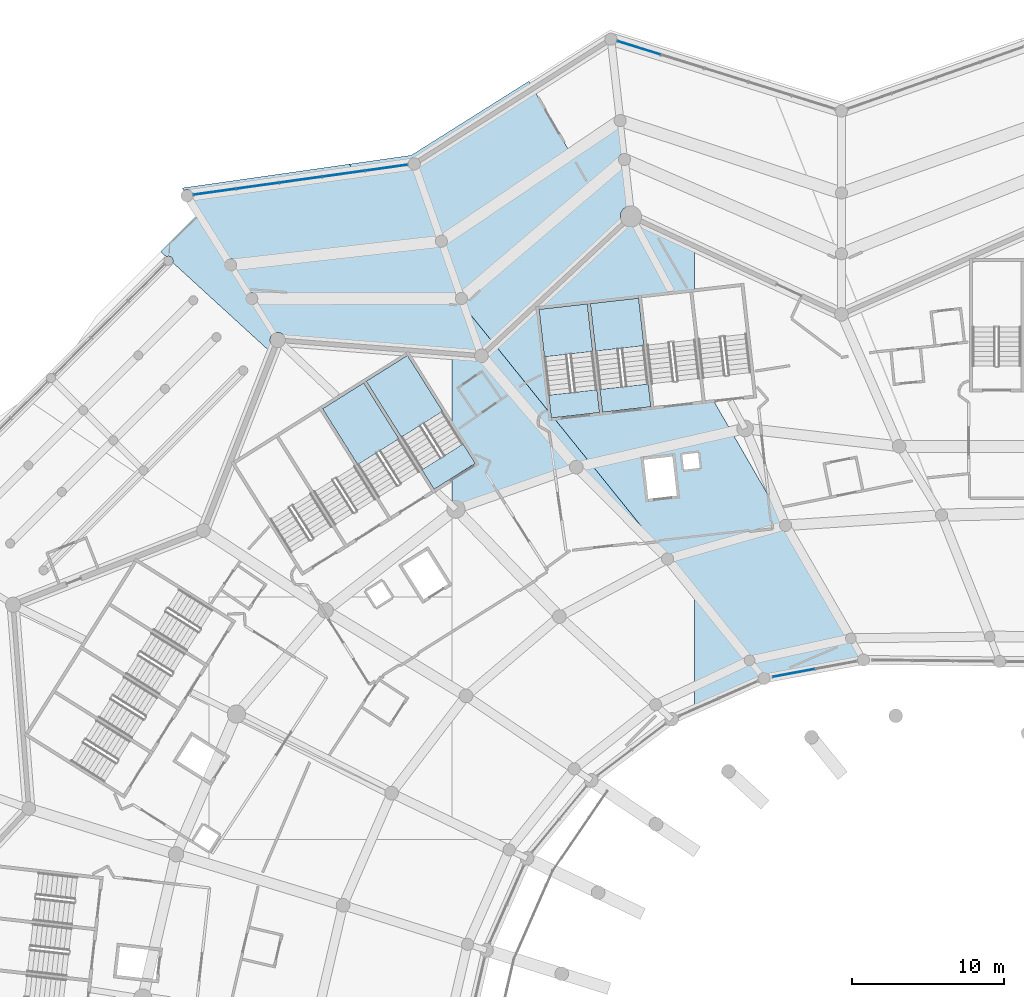
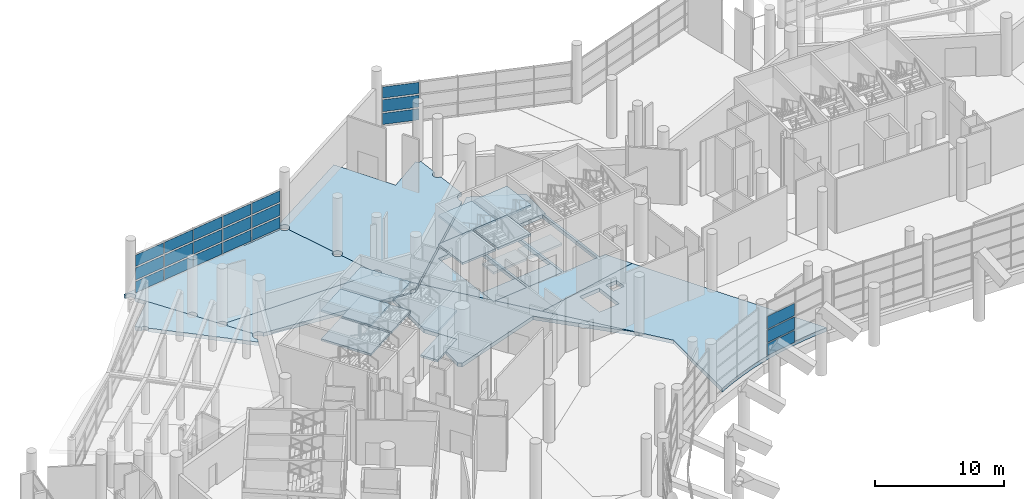
# One storey, part 143 of 271: 21 plates, 21 slabs, 7 elements without a shape of their own.
"""IFC4 building model written with IfcOpenShell, lengths in metres."""

from ifc_helpers import new_model, si_unit, direction, frame, origin, origin_2d, place, context, subcontext, project, spatial, polyline, rectangle, outline, extrude, material, layer, layer_set, type_object, element, aggregate, save


model = new_model("IFC4")

# Units and contexts
model_context = context("Model", 3, precision=1e-05, world=origin(), true_north=direction((0.0, 1.0)))
body_context = subcontext(model_context, "Body", "Model", "MODEL_VIEW")
ifc_project = project(units=[si_unit("LENGTHUNIT", "METRE"), si_unit("AREAUNIT", "SQUARE_METRE"), si_unit("VOLUMEUNIT", "CUBIC_METRE"), si_unit("PLANEANGLEUNIT", "RADIAN"), si_unit("MASSUNIT", "GRAM", prefix="KILO")], contexts=[model_context])

# Site, building, storey
site_placement = place(None, origin())
site = spatial("IfcSite", under=ifc_project, at=site_placement, CompositionType="ELEMENT")
building_placement = place(site_placement, origin())
building = spatial("IfcBuilding", under=site, at=building_placement, Name="Meseta Stadium", CompositionType="ELEMENT")
storey_placement = place(building_placement, frame((0.0, 0.0, 6.5)))
storey = spatial("IfcBuildingStorey", under=building, at=storey_placement, Name="L01", CompositionType="ELEMENT", Elevation=6.5)

# Curtain wall, plates
ifc_material_1 = material(Name="Aluminium", Category="aluminium")
ifc_layer_1 = layer(ifc_material_1, 0.199951171875)
ifc_layer_set_1 = layer_set([ifc_layer_1], Name="Club glazing curtain wall")
curtain_wall_type_1 = type_object("IfcCurtainWallType", Name="Club glazing curtain wall", PredefinedType="NOTDEFINED", material=ifc_layer_set_1)
curtain_wall_1_placement = place(storey_placement, origin())
curtain_wall_1 = element("IfcCurtainWall", 1, at=curtain_wall_1_placement, inside=storey, type_object=curtain_wall_type_1, Name="Club glazing bay 22", PredefinedType="NOTDEFINED")
ifc_material_2 = material(Name="Glass", Category="glass")
ifc_layer_2 = layer(ifc_material_2, 0.028076171875)
ifc_layer_set_2 = layer_set([ifc_layer_2], Name="CW glass panel 28")
plate_type_1 = type_object("IfcPlateType", Name="CW glass panel 28", PredefinedType="CURTAIN_PANEL", material=ifc_layer_set_2)
plate_1_placement = place(storey_placement, frame((-41.476318359375, 74.98046875, 0.1201171875), z_axis=(0.0, 0.0, 1.0), x_axis=(-0.983187225977, -0.182600324962, 0.0)))
plate_1 = element("IfcPlate", 2, at=plate_1_placement, type_object=plate_type_1, Name="CWC panel 2.1", PredefinedType="CURTAIN_PANEL", context=body_context, shape_type="SweptSolid", body=[
    extrude(rectangle(XDim=2.76611328125, YDim=0.028076171875, at=origin_2d()), origin(), (0.0, 0.0, 1.0), 1.107421875),
])
plate_2_placement = place(storey_placement, frame((-41.476318359375, 74.98046875, 1.347412109375), z_axis=(0.0, 0.0, 1.0), x_axis=(-0.983187225977, -0.182600324962, 0.0)))
plate_2 = element("IfcPlate", 3, at=plate_2_placement, type_object=plate_type_1, Name="CWC panel 2.2", PredefinedType="CURTAIN_PANEL", context=body_context, shape_type="SweptSolid", body=[
    extrude(rectangle(XDim=2.76611328125, YDim=0.028076171875, at=origin_2d()), origin(), (0.0, 0.0, 1.0), 1.16748046875),
])
plate_3_placement = place(storey_placement, frame((-41.476318359375, 74.98046875, 2.635009765625), z_axis=(0.0, 0.0, 1.0), x_axis=(-0.983187225977, -0.182600324962, 0.0)))
plate_3 = element("IfcPlate", 4, at=plate_3_placement, type_object=plate_type_1, Name="CWC panel 2.3", PredefinedType="CURTAIN_PANEL", context=body_context, shape_type="SweptSolid", body=[
    extrude(rectangle(XDim=2.76611328125, YDim=0.028076171875, at=origin_2d()), origin(), (0.0, 0.0, 1.0), 1.16748046875),
])
aggregate(curtain_wall_1, [plate_1, plate_2, plate_3])

# Slabs
ifc_material_3 = material(Name="Concrete C40/50", Category="concrete")
ifc_layer_3 = layer(ifc_material_3, 0.35009765625)
ifc_layer_set_3 = layer_set([ifc_layer_3], Name="Floor slab 350")
slab_type_1 = type_object("IfcSlabType", Name="Floor slab 350", PredefinedType="FLOOR", material=ifc_layer_set_3)
slab_1_placement = place(storey_placement, frame((0.0, 0.0, -0.35009765625)))
element("IfcSlab", 5, at=slab_1_placement, inside=storey, type_object=slab_type_1, Name="Floor slab L01 sector 21 panel 09", PredefinedType="FLOOR", context=body_context, shape_type="SweptSolid", body=[
    extrude(outline(polyline([(-62.051513671875, 95.872802734375), (-64.0, 96.023193359375), (-64.0, 91.239990234375), (-62.45947265625, 88.788330078125), (-64.0, 87.8203125), (-64.0, 86.02587890625), (-63.731201171875, 85.77099609375), (-55.799560546875, 88.541748046875), (-49.791259765625, 82.4990234375), (-57.296142578125, 91.798095703125), (-57.449951171875, 91.78076171875), (-57.477294921875, 92.0224609375), (-61.21435546875, 96.653076171875), (-62.051513671875, 95.872802734375)])), origin(), (0.0, 0.0, 1.0), 0.35009765625),
])
slab_2_placement = place(storey_placement, frame((0.0, 0.0, -0.35009765625)))
element("IfcSlab", 6, at=slab_2_placement, inside=storey, type_object=slab_type_1, Name="Floor slab L01 sector 21 panel 12", PredefinedType="FLOOR", context=body_context, shape_type="SweptSolid", body=[
    extrude(outline(polyline([(-46.7978515625, 92.98095703125), (-47.314208984375, 92.9228515625), (-48.1201171875, 100.077392578125), (-48.0, 100.091064453125), (-48.0, 103.0966796875), (-52.202880859375, 105.0517578125), (-61.21435546875, 96.653076171875), (-57.477294921875, 92.0224609375), (-58.256103515625, 98.935302734375), (-55.076171875, 99.293701171875), (-54.27001953125, 92.138916015625), (-57.296142578125, 91.798095703125), (-54.8447265625, 88.760498046875), (-45.585693359375, 90.8837890625), (-46.7978515625, 92.98095703125)]), holes=[polyline([(-50.692626953125, 92.5419921875), (-51.498779296875, 99.69677734375), (-48.319091796875, 100.05517578125), (-47.5126953125, 92.900390625), (-50.692626953125, 92.5419921875)]), polyline([(-54.87744140625, 99.316162109375), (-51.697509765625, 99.67431640625), (-50.8916015625, 92.519775390625), (-54.0712890625, 92.161376953125), (-54.87744140625, 99.316162109375)])]), origin(), (0.0, 0.0, 1.0), 0.35009765625),
])
slab_3_placement = place(storey_placement, frame((0.0, 0.0, -0.35009765625)))
element("IfcSlab", 7, at=slab_3_placement, inside=storey, type_object=slab_type_1, Name="Floor slab L01 sector 21 panel 13", PredefinedType="FLOOR", context=body_context, shape_type="SweptSolid", body=[
    extrude(outline(polyline([(-54.8447265625, 88.760498046875), (-48.0, 80.279296875), (-48.0, 72.753173828125), (-47.560791015625, 72.978759765625), (-46.552978515625, 73.4482421875), (-45.527587890625, 73.87841796875), (-44.486083984375, 74.268310546875), (-43.430419921875, 74.617431640625), (-42.362060546875, 74.925537109375), (-41.282470703125, 75.19189453125), (-40.193359375, 75.416015625), (-39.096435546875, 75.597900390625), (-37.993408203125, 75.73681640625), (-36.885986328125, 75.8330078125), (-45.585693359375, 90.8837890625), (-54.8447265625, 88.760498046875)]), holes=[polyline([(-48.71337890625, 88.37255859375), (-48.825439453125, 89.3662109375), (-47.781982421875, 89.483642578125), (-47.669921875, 88.489990234375), (-48.71337890625, 88.37255859375)]), polyline([(-49.174560546875, 86.66015625), (-51.0625, 86.447265625), (-51.353759765625, 89.031005859375), (-49.4658203125, 89.24365234375), (-49.174560546875, 86.66015625)])]), origin(), (0.0, 0.0, 1.0), 0.35009765625),
])
slab_4_placement = place(storey_placement, frame((0.0, 0.0, -0.35009765625)))
element("IfcSlab", 8, at=slab_4_placement, inside=storey, type_object=slab_type_1, Name="Gate hall floor slab 4 panel 04", PredefinedType="FLOOR", context=body_context, shape_type="SweptSolid", body=[
    extrude(outline(polyline([(-82.3828125, 102.059326171875), (-82.397705078125, 102.023193359375), (-75.96826171875, 96.1376953125), (-75.8125, 96.53759765625), (-75.831298828125, 96.552001953125), (-75.911376953125, 96.656494140625), (-75.961669921875, 96.778076171875), (-75.97900390625, 96.908447265625), (-75.961669921875, 97.0390625), (-75.911376953125, 97.16064453125), (-75.831298828125, 97.26513671875), (-75.74169921875, 97.333740234375), (-80.70751953125, 105.236572265625), (-83.19287109375, 102.751220703125), (-82.814208984375, 102.404541015625), (-82.75341796875, 102.429931640625), (-82.675048828125, 102.440185546875), (-82.5966796875, 102.429931640625), (-82.523681640625, 102.399658203125), (-82.461181640625, 102.3515625), (-82.4130859375, 102.288818359375), (-82.3828125, 102.2158203125), (-82.372314453125, 102.1376953125), (-82.3828125, 102.059326171875)])), origin(), (0.0, 0.0, 1.0), 0.35009765625),
])
slab_5_placement = place(storey_placement, frame((0.0, 0.0, -0.35009765625)))
element("IfcSlab", 9, at=slab_5_placement, inside=storey, type_object=slab_type_1, Name="Ring floor slab L01 3 part 1 panel 01", PredefinedType="FLOOR", context=body_context, shape_type="SweptSolid", body=[
    extrude(outline(polyline([(-81.77294921875, 106.93212890625), (-81.66748046875, 106.764404296875), (-81.655517578125, 106.773681640625), (-81.55810546875, 106.81396484375), (-81.45361328125, 106.82763671875), (-81.34912109375, 106.81396484375), (-81.251953125, 106.773681640625), (-81.16845703125, 106.70947265625), (-81.104248046875, 106.6259765625), (-81.06396484375, 106.528564453125), (-81.05029296875, 106.42431640625), (-81.06396484375, 106.31982421875), (-81.104248046875, 106.222412109375), (-81.16845703125, 106.138916015625), (-81.239990234375, 106.083984375), (-78.79443359375, 102.19189453125), (-78.782470703125, 102.201416015625), (-78.68505859375, 102.24169921875), (-78.580810546875, 102.25537109375), (-78.476318359375, 102.24169921875), (-78.37890625, 102.201416015625), (-78.29541015625, 102.13720703125), (-78.231201171875, 102.0537109375), (-78.19091796875, 101.956298828125), (-78.18310546875, 101.89697265625), (-78.17724609375, 101.851806640625), (-78.19091796875, 101.747314453125), (-78.231201171875, 101.650146484375), (-78.29541015625, 101.566650390625), (-78.366943359375, 101.51171875), (-77.40087890625, 99.974365234375), (-77.388916015625, 99.983642578125), (-77.291748046875, 100.02392578125), (-77.187255859375, 100.03759765625), (-77.082763671875, 100.02392578125), (-76.985595703125, 99.983642578125), (-76.902099609375, 99.91943359375), (-76.837890625, 99.8359375), (-76.797607421875, 99.738525390625), (-76.783935546875, 99.634521484375), (-63.77587890625, 99.64794921875), (-63.762451171875, 99.752685546875), (-63.72216796875, 99.85009765625), (-63.657958984375, 99.93359375), (-63.574462890625, 99.997802734375), (-63.5048828125, 100.0263671875), (-64.5615234375, 103.045654296875), (-64.58935546875, 103.0341796875), (-64.69384765625, 103.020263671875), (-64.798095703125, 103.0341796875), (-64.8955078125, 103.074462890625), (-64.97900390625, 103.138427734375), (-65.043212890625, 103.22216796875), (-65.08349609375, 103.3193359375), (-65.09716796875, 103.423828125), (-65.08349609375, 103.5283203125), (-65.043212890625, 103.62548828125), (-64.97900390625, 103.708984375), (-64.8955078125, 103.773193359375), (-64.826171875, 103.802001953125), (-66.344970703125, 108.142578125), (-66.372802734375, 108.131103515625), (-66.477294921875, 108.1171875), (-66.581787109375, 108.131103515625), (-66.678955078125, 108.17138671875), (-66.7626953125, 108.235595703125), (-66.82666015625, 108.319091796875), (-66.866943359375, 108.416259765625), (-66.87353515625, 108.46533203125), (-70.35400390625, 107.97802734375), (-70.776611328125, 108.501708984375), (-81.77294921875, 106.93212890625)])), origin(), (0.0, 0.0, 1.0), 0.35009765625),
])
slab_6_placement = place(storey_placement, frame((0.0, 0.0, -0.35009765625)))
element("IfcSlab", 10, at=slab_6_placement, inside=storey, type_object=slab_type_1, Name="Ring floor slab L01 3 part 1 panel 02", PredefinedType="FLOOR", context=body_context, shape_type="SweptSolid", body=[
    extrude(outline(polyline([(-76.783935546875, 99.634521484375), (-76.797607421875, 99.52978515625), (-76.837890625, 99.4326171875), (-76.902099609375, 99.348876953125), (-76.973388671875, 99.2939453125), (-75.74169921875, 97.333740234375), (-75.726806640625, 97.34521484375), (-75.60498046875, 97.395751953125), (-75.474609375, 97.412841796875), (-75.343994140625, 97.395751953125), (-75.222412109375, 97.34521484375), (-75.117919921875, 97.26513671875), (-75.037841796875, 97.16064453125), (-74.9873046875, 97.0390625), (-74.985107421875, 97.021240234375), (-62.463134765625, 96.054931640625), (-62.444580078125, 96.099609375), (-62.37255859375, 96.193603515625), (-62.278564453125, 96.265869140625), (-62.1689453125, 96.31103515625), (-62.051513671875, 96.32666015625), (-61.93408203125, 96.31103515625), (-61.842041015625, 96.27294921875), (-61.30859375, 96.77001953125), (-63.3125, 99.252685546875), (-63.372802734375, 99.244873046875), (-63.47705078125, 99.258544921875), (-63.574462890625, 99.298828125), (-63.657958984375, 99.363037109375), (-63.72216796875, 99.446533203125), (-63.762451171875, 99.543701171875), (-63.77587890625, 99.64794921875), (-76.783935546875, 99.634521484375)])), origin(), (0.0, 0.0, 1.0), 0.35009765625),
])
slab_7_placement = place(storey_placement, frame((0.0, 0.0, -0.35009765625)))
element("IfcSlab", 11, at=slab_7_placement, inside=storey, type_object=slab_type_1, Name="Ring floor slab L01 3 part 1 panel 03", PredefinedType="FLOOR", context=body_context, shape_type="SweptSolid", body=[
    extrude(outline(polyline([(-63.268310546875, 99.258544921875), (-63.3125, 99.252685546875), (-61.30859375, 96.77001953125), (-52.80908203125, 104.69189453125), (-52.814208984375, 104.698486328125), (-52.884765625, 104.868896484375), (-52.908935546875, 105.0517578125), (-52.884765625, 105.234375), (-52.814208984375, 105.40478515625), (-52.7021484375, 105.55078125), (-52.555908203125, 105.6630859375), (-52.385498046875, 105.733642578125), (-52.28125, 105.747314453125), (-52.581298828125, 108.41064453125), (-52.626220703125, 108.40478515625), (-52.73046875, 108.41845703125), (-52.827880859375, 108.458740234375), (-52.911376953125, 108.52294921875), (-52.9755859375, 108.6064453125), (-53.015869140625, 108.703857421875), (-53.029541015625, 108.80810546875), (-53.015869140625, 108.91259765625), (-52.9755859375, 109.010009765625), (-52.911376953125, 109.093505859375), (-52.827880859375, 109.15771484375), (-52.73046875, 109.197998046875), (-52.6708984375, 109.205810546875), (-52.8701171875, 110.974853515625), (-52.9150390625, 110.968994140625), (-53.019287109375, 110.982666015625), (-53.11669921875, 111.02294921875), (-53.2001953125, 111.087158203125), (-53.247314453125, 111.148193359375), (-56.162109375, 109.18115234375), (-58.92919921875, 113.96826171875), (-66.675537109375, 109.087158203125), (-70.776611328125, 108.501708984375), (-70.35400390625, 107.97802734375), (-66.87353515625, 108.46533203125), (-66.880859375, 108.520751953125), (-66.866943359375, 108.625244140625), (-66.82666015625, 108.722412109375), (-66.7626953125, 108.805908203125), (-66.678955078125, 108.8701171875), (-66.581787109375, 108.910400390625), (-66.477294921875, 108.92431640625), (-66.372802734375, 108.910400390625), (-66.275634765625, 108.8701171875), (-66.19189453125, 108.805908203125), (-66.1279296875, 108.722412109375), (-66.087646484375, 108.625244140625), (-66.073974609375, 108.520751953125), (-66.087646484375, 108.416259765625), (-66.1279296875, 108.319091796875), (-66.19189453125, 108.235595703125), (-66.275634765625, 108.17138671875), (-66.344970703125, 108.142578125), (-64.826171875, 103.802001953125), (-64.798095703125, 103.8134765625), (-64.69384765625, 103.8271484375), (-64.58935546875, 103.8134765625), (-64.4921875, 103.773193359375), (-64.408447265625, 103.708984375), (-64.344482421875, 103.62548828125), (-64.30419921875, 103.5283203125), (-64.290283203125, 103.423828125), (-64.30419921875, 103.3193359375), (-64.344482421875, 103.22216796875), (-64.408447265625, 103.138427734375), (-64.4921875, 103.074462890625), (-64.5615234375, 103.045654296875), (-63.5048828125, 100.0263671875), (-63.47705078125, 100.0380859375), (-63.372802734375, 100.0517578125), (-63.268310546875, 100.0380859375), (-63.1708984375, 99.997802734375), (-63.08740234375, 99.93359375), (-63.023193359375, 99.85009765625), (-62.98291015625, 99.752685546875), (-62.96923828125, 99.648193359375), (-62.98291015625, 99.543701171875), (-63.023193359375, 99.446533203125), (-63.08740234375, 99.363037109375), (-63.1708984375, 99.298828125), (-63.268310546875, 99.258544921875)])), origin(), (0.0, 0.0, 1.0), 0.35009765625),
])

# Curtain wall, plates
ifc_material_4 = material(Name="Aluminium", Category="aluminium")
ifc_layer_4 = layer(ifc_material_4, 0.199951171875)
ifc_layer_set_4 = layer_set([ifc_layer_4], Name="Ring shopfront curtain wall")
curtain_wall_type_2 = type_object("IfcCurtainWallType", Name="Ring shopfront curtain wall", PredefinedType="NOTDEFINED", material=ifc_layer_set_4)
curtain_wall_2_placement = place(storey_placement, origin())
curtain_wall_2 = element("IfcCurtainWall", 12, at=curtain_wall_2_placement, inside=storey, type_object=curtain_wall_type_2, Name="Ring glazing L01 F21", PredefinedType="NOTDEFINED")
ifc_material_5 = material(Name="Glass", Category="glass")
ifc_layer_5 = layer(ifc_material_5, 0.035888671875)
ifc_layer_set_5 = layer_set([ifc_layer_5], Name="Ring CW glass panel 36")
plate_type_2 = type_object("IfcPlateType", Name="Ring CW glass panel 36", PredefinedType="CURTAIN_PANEL", material=ifc_layer_set_5)
plate_4_placement = place(storey_placement, frame((-51.68115234375, 116.164794921875, 0.14990234375), z_axis=(0.0, 0.0, 1.0), x_axis=(-0.95460920309, 0.297861157885, 0.0)))
plate_4 = element("IfcPlate", 13, at=plate_4_placement, type_object=plate_type_2, Name="CWR1 panel 5.1", PredefinedType="CURTAIN_PANEL", context=body_context, shape_type="SweptSolid", body=[
    extrude(rectangle(XDim=2.931640625, YDim=0.035888671875, at=origin_2d()), origin(), (0.0, 0.0, 1.0), 1.058349609375),
])
plate_5_placement = place(storey_placement, frame((-51.68115234375, 116.164794921875, 1.3583984375), z_axis=(0.0, 0.0, 1.0), x_axis=(-0.95460920309, 0.297861157885, 0.0)))
plate_5 = element("IfcPlate", 14, at=plate_5_placement, type_object=plate_type_2, Name="CWR1 panel 5.2", PredefinedType="CURTAIN_PANEL", context=body_context, shape_type="SweptSolid", body=[
    extrude(rectangle(XDim=2.931640625, YDim=0.035888671875, at=origin_2d()), origin(), (0.0, 0.0, 1.0), 1.13330078125),
])
plate_6_placement = place(storey_placement, frame((-51.68115234375, 116.164794921875, 2.6416015625), z_axis=(0.0, 0.0, 1.0), x_axis=(-0.95460920309, 0.297861157885, 0.0)))
plate_6 = element("IfcPlate", 15, at=plate_6_placement, type_object=plate_type_2, Name="CWR1 panel 5.3", PredefinedType="CURTAIN_PANEL", context=body_context, shape_type="SweptSolid", body=[
    extrude(rectangle(XDim=2.931640625, YDim=0.035888671875, at=origin_2d()), origin(), (0.0, 0.0, 1.0), 1.058349609375),
])
aggregate(curtain_wall_2, [plate_4, plate_5, plate_6])

curtain_wall_3_placement = place(storey_placement, origin())
curtain_wall_3 = element("IfcCurtainWall", 16, at=curtain_wall_3_placement, inside=storey, type_object=curtain_wall_type_2, Name="Ring glazing L01 F23", PredefinedType="NOTDEFINED")
plate_7_placement = place(storey_placement, frame((-68.306640625, 108.2646484375, 0.14990234375), z_axis=(0.0, 0.0, 1.0), x_axis=(-0.990342456098, -0.13864277713, 0.0)))
plate_7 = element("IfcPlate", 17, at=plate_7_placement, type_object=plate_type_2, Name="CWR1 panel 1.1", PredefinedType="CURTAIN_PANEL", context=body_context, shape_type="SweptSolid", body=[
    extrude(rectangle(XDim=2.7744140625, YDim=0.035888671875, at=origin_2d()), origin(), (0.0, 0.0, 1.0), 1.058349609375),
])
plate_8_placement = place(storey_placement, frame((-68.306640625, 108.2646484375, 1.3583984375), z_axis=(0.0, 0.0, 1.0), x_axis=(-0.990342456098, -0.13864277713, 0.0)))
plate_8 = element("IfcPlate", 18, at=plate_8_placement, type_object=plate_type_2, Name="CWR1 panel 1.2", PredefinedType="CURTAIN_PANEL", context=body_context, shape_type="SweptSolid", body=[
    extrude(rectangle(XDim=2.7744140625, YDim=0.035888671875, at=origin_2d()), origin(), (0.0, 0.0, 1.0), 1.13330078125),
])
plate_9_placement = place(storey_placement, frame((-68.306640625, 108.2646484375, 2.6416015625), z_axis=(0.0, 0.0, 1.0), x_axis=(-0.990342456098, -0.13864277713, 0.0)))
plate_9 = element("IfcPlate", 19, at=plate_9_placement, type_object=plate_type_2, Name="CWR1 panel 1.3", PredefinedType="CURTAIN_PANEL", context=body_context, shape_type="SweptSolid", body=[
    extrude(rectangle(XDim=2.7744140625, YDim=0.035888671875, at=origin_2d()), origin(), (0.0, 0.0, 1.0), 1.058349609375),
])
plate_10_placement = place(storey_placement, frame((-71.128662109375, 107.86962890625, 0.14990234375), z_axis=(0.0, 0.0, 1.0), x_axis=(-0.990342456098, -0.13864277713, 0.0)))
plate_10 = element("IfcPlate", 20, at=plate_10_placement, type_object=plate_type_2, Name="CWR1 panel 2.1", PredefinedType="CURTAIN_PANEL", context=body_context, shape_type="SweptSolid", body=[
    extrude(rectangle(XDim=2.804443359375, YDim=0.035888671875, at=origin_2d()), origin(), (0.0, 0.0, 1.0), 1.058349609375),
])
plate_11_placement = place(storey_placement, frame((-71.128662109375, 107.86962890625, 1.3583984375), z_axis=(0.0, 0.0, 1.0), x_axis=(-0.990342456098, -0.13864277713, 0.0)))
plate_11 = element("IfcPlate", 21, at=plate_11_placement, type_object=plate_type_2, Name="CWR1 panel 2.2", PredefinedType="CURTAIN_PANEL", context=body_context, shape_type="SweptSolid", body=[
    extrude(rectangle(XDim=2.804443359375, YDim=0.035888671875, at=origin_2d()), origin(), (0.0, 0.0, 1.0), 1.13330078125),
])
plate_12_placement = place(storey_placement, frame((-71.128662109375, 107.86962890625, 2.6416015625), z_axis=(0.0, 0.0, 1.0), x_axis=(-0.990342456098, -0.13864277713, 0.0)))
plate_12 = element("IfcPlate", 22, at=plate_12_placement, type_object=plate_type_2, Name="CWR1 panel 2.3", PredefinedType="CURTAIN_PANEL", context=body_context, shape_type="SweptSolid", body=[
    extrude(rectangle(XDim=2.804443359375, YDim=0.035888671875, at=origin_2d()), origin(), (0.0, 0.0, 1.0), 1.058349609375),
])
plate_13_placement = place(storey_placement, frame((-73.96533203125, 107.472412109375, 0.14990234375), z_axis=(0.0, 0.0, 1.0), x_axis=(-0.990342456098, -0.13864277713, 0.0)))
plate_13 = element("IfcPlate", 23, at=plate_13_placement, type_object=plate_type_2, Name="CWR1 panel 3.1", PredefinedType="CURTAIN_PANEL", context=body_context, shape_type="SweptSolid", body=[
    extrude(rectangle(XDim=2.804443359375, YDim=0.035888671875, at=origin_2d()), origin(), (0.0, 0.0, 1.0), 1.058349609375),
])
plate_14_placement = place(storey_placement, frame((-73.96533203125, 107.472412109375, 1.3583984375), z_axis=(0.0, 0.0, 1.0), x_axis=(-0.990342456098, -0.13864277713, 0.0)))
plate_14 = element("IfcPlate", 24, at=plate_14_placement, type_object=plate_type_2, Name="CWR1 panel 3.2", PredefinedType="CURTAIN_PANEL", context=body_context, shape_type="SweptSolid", body=[
    extrude(rectangle(XDim=2.804443359375, YDim=0.035888671875, at=origin_2d()), origin(), (0.0, 0.0, 1.0), 1.13330078125),
])
plate_15_placement = place(storey_placement, frame((-73.96533203125, 107.472412109375, 2.6416015625), z_axis=(0.0, 0.0, 1.0), x_axis=(-0.990342456098, -0.13864277713, 0.0)))
plate_15 = element("IfcPlate", 25, at=plate_15_placement, type_object=plate_type_2, Name="CWR1 panel 3.3", PredefinedType="CURTAIN_PANEL", context=body_context, shape_type="SweptSolid", body=[
    extrude(rectangle(XDim=2.804443359375, YDim=0.035888671875, at=origin_2d()), origin(), (0.0, 0.0, 1.0), 1.058349609375),
])
plate_16_placement = place(storey_placement, frame((-76.80224609375, 107.0751953125, 0.14990234375), z_axis=(0.0, 0.0, 1.0), x_axis=(-0.990342456098, -0.13864277713, 0.0)))
plate_16 = element("IfcPlate", 26, at=plate_16_placement, type_object=plate_type_2, Name="CWR1 panel 4.1", PredefinedType="CURTAIN_PANEL", context=body_context, shape_type="SweptSolid", body=[
    extrude(rectangle(XDim=2.804443359375, YDim=0.035888671875, at=origin_2d()), origin(), (0.0, 0.0, 1.0), 1.058349609375),
])
plate_17_placement = place(storey_placement, frame((-76.80224609375, 107.0751953125, 1.3583984375), z_axis=(0.0, 0.0, 1.0), x_axis=(-0.990342456098, -0.13864277713, 0.0)))
plate_17 = element("IfcPlate", 27, at=plate_17_placement, type_object=plate_type_2, Name="CWR1 panel 4.2", PredefinedType="CURTAIN_PANEL", context=body_context, shape_type="SweptSolid", body=[
    extrude(rectangle(XDim=2.804443359375, YDim=0.035888671875, at=origin_2d()), origin(), (0.0, 0.0, 1.0), 1.13330078125),
])
plate_18_placement = place(storey_placement, frame((-76.80224609375, 107.0751953125, 2.6416015625), z_axis=(0.0, 0.0, 1.0), x_axis=(-0.990342456098, -0.13864277713, 0.0)))
plate_18 = element("IfcPlate", 28, at=plate_18_placement, type_object=plate_type_2, Name="CWR1 panel 4.3", PredefinedType="CURTAIN_PANEL", context=body_context, shape_type="SweptSolid", body=[
    extrude(rectangle(XDim=2.804443359375, YDim=0.035888671875, at=origin_2d()), origin(), (0.0, 0.0, 1.0), 1.058349609375),
])
plate_19_placement = place(storey_placement, frame((-79.624267578125, 106.68017578125, 0.14990234375), z_axis=(0.0, 0.0, 1.0), x_axis=(-0.990342456098, -0.13864277713, 0.0)))
plate_19 = element("IfcPlate", 29, at=plate_19_placement, type_object=plate_type_2, Name="CWR1 panel 5.1", PredefinedType="CURTAIN_PANEL", context=body_context, shape_type="SweptSolid", body=[
    extrude(rectangle(XDim=2.7744140625, YDim=0.035888671875, at=origin_2d()), origin(), (0.0, 0.0, 1.0), 1.058349609375),
])
plate_20_placement = place(storey_placement, frame((-79.624267578125, 106.68017578125, 1.3583984375), z_axis=(0.0, 0.0, 1.0), x_axis=(-0.990342456098, -0.13864277713, 0.0)))
plate_20 = element("IfcPlate", 30, at=plate_20_placement, type_object=plate_type_2, Name="CWR1 panel 5.2", PredefinedType="CURTAIN_PANEL", context=body_context, shape_type="SweptSolid", body=[
    extrude(rectangle(XDim=2.7744140625, YDim=0.035888671875, at=origin_2d()), origin(), (0.0, 0.0, 1.0), 1.13330078125),
])
plate_21_placement = place(storey_placement, frame((-79.624267578125, 106.68017578125, 2.6416015625), z_axis=(0.0, 0.0, 1.0), x_axis=(-0.990342456098, -0.13864277713, 0.0)))
plate_21 = element("IfcPlate", 31, at=plate_21_placement, type_object=plate_type_2, Name="CWR1 panel 5.3", PredefinedType="CURTAIN_PANEL", context=body_context, shape_type="SweptSolid", body=[
    extrude(rectangle(XDim=2.7744140625, YDim=0.035888671875, at=origin_2d()), origin(), (0.0, 0.0, 1.0), 1.058349609375),
])
aggregate(curtain_wall_3, [plate_7, plate_8, plate_9, plate_10, plate_11, plate_12, plate_13, plate_14, plate_15, plate_16, plate_17, plate_18, plate_19, plate_20, plate_21])

# Stair, slabs
ifc_material_6 = material(Name="Concrete C40/50", Category="concrete")
stair_type = type_object("IfcStairType", Name="Exit stair 4 flights 153 mm risers", PredefinedType="HALF_TURN_STAIR", material=ifc_material_6)
stair_1_placement = place(storey_placement, origin())
stair_1 = element("IfcStair", 32, at=stair_1_placement, inside=storey, type_object=stair_type, Name="ST47 L01", PredefinedType="HALF_TURN_STAIR")
ifc_material_7 = material(Name="Concrete C40/50", Category="concrete")
ifc_layer_6 = layer(ifc_material_7, 0.199951171875)
ifc_layer_set_6 = layer_set([ifc_layer_6], Name="Stair landing 200")
slab_type_2 = type_object("IfcSlabType", Name="Stair landing 200", PredefinedType="LANDING", material=ifc_layer_set_6)
slab_8_placement = place(storey_placement, frame((0.0, 0.0, 1.175048828125)))
slab_8 = element("IfcSlab", 33, at=slab_8_placement, type_object=slab_type_2, Name="ST47 L01 landing 1", PredefinedType="LANDING", context=body_context, shape_type="SweptSolid", body=[
    extrude(outline(polyline([(-51.344970703125, 96.544189453125), (-51.697509765625, 99.67431640625), (-54.87744140625, 99.316162109375), (-54.52490234375, 96.18603515625), (-51.344970703125, 96.544189453125)])), origin(), (0.0, 0.0, 1.0), 0.199951171875),
])
slab_9_placement = place(storey_placement, frame((0.0, 0.0, 2.550048828125)))
slab_9 = element("IfcSlab", 34, at=slab_9_placement, type_object=slab_type_2, Name="ST47 L01 landing 2", PredefinedType="LANDING", context=body_context, shape_type="SweptSolid", body=[
    extrude(outline(polyline([(-50.891357421875, 92.519775390625), (-51.060546875, 94.020263671875), (-54.240478515625, 93.661865234375), (-54.0712890625, 92.161376953125), (-50.891357421875, 92.519775390625)])), origin(), (0.0, 0.0, 1.0), 0.199951171875),
])
slab_10_placement = place(storey_placement, frame((0.0, 0.0, 3.925048828125)))
slab_10 = element("IfcSlab", 35, at=slab_10_placement, type_object=slab_type_2, Name="ST47 L01 landing 3", PredefinedType="LANDING", context=body_context, shape_type="SweptSolid", body=[
    extrude(outline(polyline([(-51.344970703125, 96.544189453125), (-51.697509765625, 99.67431640625), (-54.87744140625, 99.316162109375), (-54.52490234375, 96.18603515625), (-51.344970703125, 96.544189453125)])), origin(), (0.0, 0.0, 1.0), 0.199951171875),
])
slab_11_placement = place(storey_placement, frame((0.0, 0.0, -0.199951171875)))
slab_11 = element("IfcSlab", 36, at=slab_11_placement, type_object=slab_type_2, Name="ST47 L01 landing 4", PredefinedType="LANDING", context=body_context, shape_type="SweptSolid", body=[
    extrude(outline(polyline([(-50.891357421875, 92.519775390625), (-51.060546875, 94.020263671875), (-54.240478515625, 93.661865234375), (-54.0712890625, 92.161376953125), (-50.891357421875, 92.519775390625)])), origin(), (0.0, 0.0, 1.0), 0.199951171875),
])
aggregate(stair_1, [slab_8, slab_9, slab_10, slab_11])

stair_2_placement = place(storey_placement, origin())
stair_2 = element("IfcStair", 37, at=stair_2_placement, inside=storey, type_object=stair_type, Name="ST48 L01", PredefinedType="HALF_TURN_STAIR")
slab_12_placement = place(storey_placement, frame((0.0, 0.0, 1.175048828125)))
slab_12 = element("IfcSlab", 38, at=slab_12_placement, type_object=slab_type_2, Name="ST48 L01 landing 1", PredefinedType="LANDING", context=body_context, shape_type="SweptSolid", body=[
    extrude(outline(polyline([(-54.7236328125, 96.16357421875), (-55.076171875, 99.293701171875), (-58.256103515625, 98.935546875), (-57.9033203125, 95.80517578125), (-54.7236328125, 96.16357421875)])), origin(), (0.0, 0.0, 1.0), 0.199951171875),
])
slab_13_placement = place(storey_placement, frame((0.0, 0.0, 2.550048828125)))
slab_13 = element("IfcSlab", 39, at=slab_13_placement, type_object=slab_type_2, Name="ST48 L01 landing 2", PredefinedType="LANDING", context=body_context, shape_type="SweptSolid", body=[
    extrude(outline(polyline([(-54.27001953125, 92.138916015625), (-54.439208984375, 93.639404296875), (-57.618896484375, 93.28125), (-57.449951171875, 91.78076171875), (-54.27001953125, 92.138916015625)])), origin(), (0.0, 0.0, 1.0), 0.199951171875),
])
slab_14_placement = place(storey_placement, frame((0.0, 0.0, 3.925048828125)))
slab_14 = element("IfcSlab", 40, at=slab_14_placement, type_object=slab_type_2, Name="ST48 L01 landing 3", PredefinedType="LANDING", context=body_context, shape_type="SweptSolid", body=[
    extrude(outline(polyline([(-54.7236328125, 96.16357421875), (-55.076171875, 99.293701171875), (-58.256103515625, 98.935546875), (-57.9033203125, 95.80517578125), (-54.7236328125, 96.16357421875)])), origin(), (0.0, 0.0, 1.0), 0.199951171875),
])
slab_15_placement = place(storey_placement, frame((0.0, 0.0, -0.199951171875)))
slab_15 = element("IfcSlab", 41, at=slab_15_placement, type_object=slab_type_2, Name="ST48 L01 landing 4", PredefinedType="LANDING", context=body_context, shape_type="SweptSolid", body=[
    extrude(outline(polyline([(-54.27001953125, 92.138916015625), (-54.439208984375, 93.639404296875), (-57.618896484375, 93.28125), (-57.449951171875, 91.78076171875), (-54.27001953125, 92.138916015625)])), origin(), (0.0, 0.0, 1.0), 0.199951171875),
])
aggregate(stair_2, [slab_12, slab_13, slab_14, slab_15])

stair_3_placement = place(storey_placement, origin())
stair_3 = element("IfcStair", 42, at=stair_3_placement, inside=storey, type_object=stair_type, Name="ST49 L01", PredefinedType="HALF_TURN_STAIR")
slab_16_placement = place(storey_placement, frame((0.0, 0.0, 1.175048828125)))
slab_16 = element("IfcSlab", 43, at=slab_16_placement, type_object=slab_type_2, Name="ST49 L01 landing 1", PredefinedType="LANDING", context=body_context, shape_type="SweptSolid", body=[
    extrude(outline(polyline([(-64.6142578125, 92.217529296875), (-66.928466796875, 95.90087890625), (-69.63818359375, 94.1982421875), (-67.32373046875, 90.51513671875), (-64.6142578125, 92.217529296875)])), origin(), (0.0, 0.0, 1.0), 0.199951171875),
])
slab_17_placement = place(storey_placement, frame((0.0, 0.0, 2.550048828125)))
slab_17 = element("IfcSlab", 44, at=slab_17_placement, type_object=slab_type_2, Name="ST49 L01 landing 2", PredefinedType="LANDING", context=body_context, shape_type="SweptSolid", body=[
    extrude(outline(polyline([(-62.45947265625, 88.788330078125), (-63.262939453125, 90.06689453125), (-65.972412109375, 88.364501953125), (-65.1689453125, 87.0859375), (-62.45947265625, 88.788330078125)])), origin(), (0.0, 0.0, 1.0), 0.199951171875),
])
slab_18_placement = place(storey_placement, frame((0.0, 0.0, 3.925048828125)))
slab_18 = element("IfcSlab", 45, at=slab_18_placement, type_object=slab_type_2, Name="ST49 L01 landing 3", PredefinedType="LANDING", context=body_context, shape_type="SweptSolid", body=[
    extrude(outline(polyline([(-64.6142578125, 92.217529296875), (-66.928466796875, 95.90087890625), (-69.63818359375, 94.1982421875), (-67.32373046875, 90.51513671875), (-64.6142578125, 92.217529296875)])), origin(), (0.0, 0.0, 1.0), 0.199951171875),
])
slab_19_placement = place(storey_placement, frame((0.0, 0.0, -0.199951171875)))
slab_19 = element("IfcSlab", 46, at=slab_19_placement, type_object=slab_type_2, Name="ST49 L01 landing 4", PredefinedType="LANDING", context=body_context, shape_type="SweptSolid", body=[
    extrude(outline(polyline([(-62.45947265625, 88.788330078125), (-63.262939453125, 90.06689453125), (-65.972412109375, 88.364501953125), (-65.1689453125, 87.0859375), (-62.45947265625, 88.788330078125)])), origin(), (0.0, 0.0, 1.0), 0.199951171875),
])
aggregate(stair_3, [slab_16, slab_17, slab_18, slab_19])

stair_4_placement = place(storey_placement, origin())
stair_4 = element("IfcStair", 47, at=stair_4_placement, inside=storey, type_object=stair_type, Name="ST50 L01", PredefinedType="HALF_TURN_STAIR")
slab_20_placement = place(storey_placement, frame((0.0, 0.0, 1.175048828125)))
slab_20 = element("IfcSlab", 48, at=slab_20_placement, type_object=slab_type_2, Name="ST50 L01 landing 1", PredefinedType="LANDING", context=body_context, shape_type="SweptSolid", body=[
    extrude(outline(polyline([(-67.4931640625, 90.40869140625), (-69.807373046875, 94.091796875), (-72.516845703125, 92.389404296875), (-70.20263671875, 88.7060546875), (-67.4931640625, 90.40869140625)])), origin(), (0.0, 0.0, 1.0), 0.199951171875),
])
slab_21_placement = place(storey_placement, frame((0.0, 0.0, 3.925048828125)))
slab_21 = element("IfcSlab", 49, at=slab_21_placement, type_object=slab_type_2, Name="ST50 L01 landing 3", PredefinedType="LANDING", context=body_context, shape_type="SweptSolid", body=[
    extrude(outline(polyline([(-67.4931640625, 90.40869140625), (-69.807373046875, 94.091796875), (-72.516845703125, 92.389404296875), (-70.20263671875, 88.7060546875), (-67.4931640625, 90.40869140625)])), origin(), (0.0, 0.0, 1.0), 0.199951171875),
])
aggregate(stair_4, [slab_20, slab_21])

save(model, "model.ifc")
